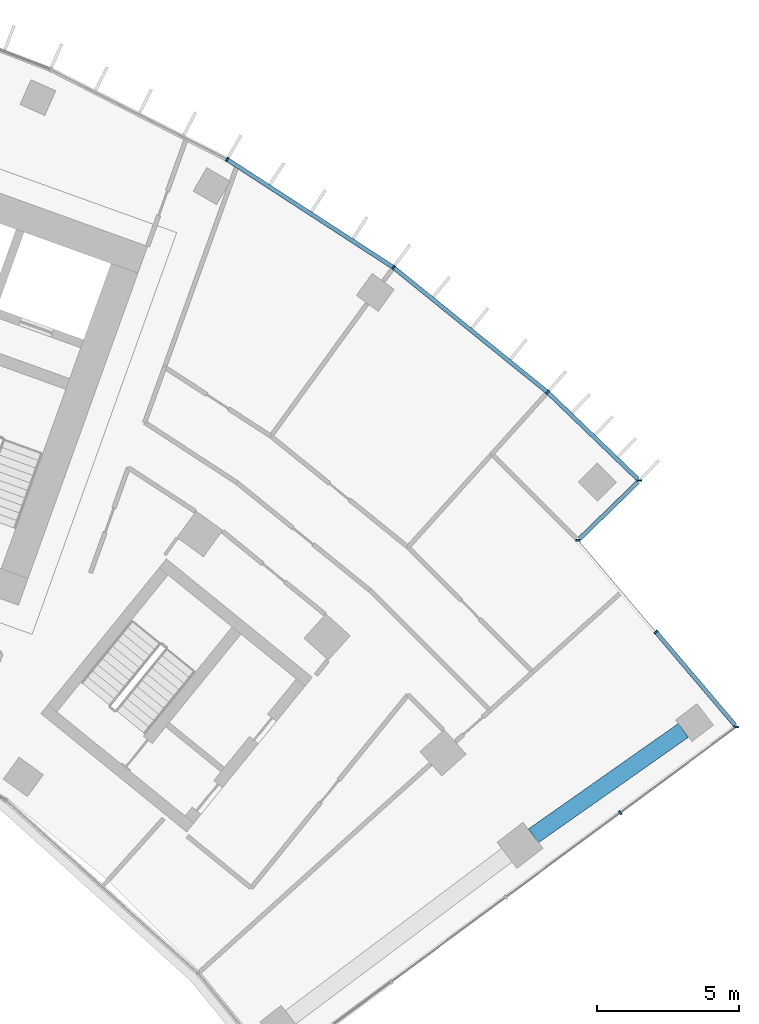
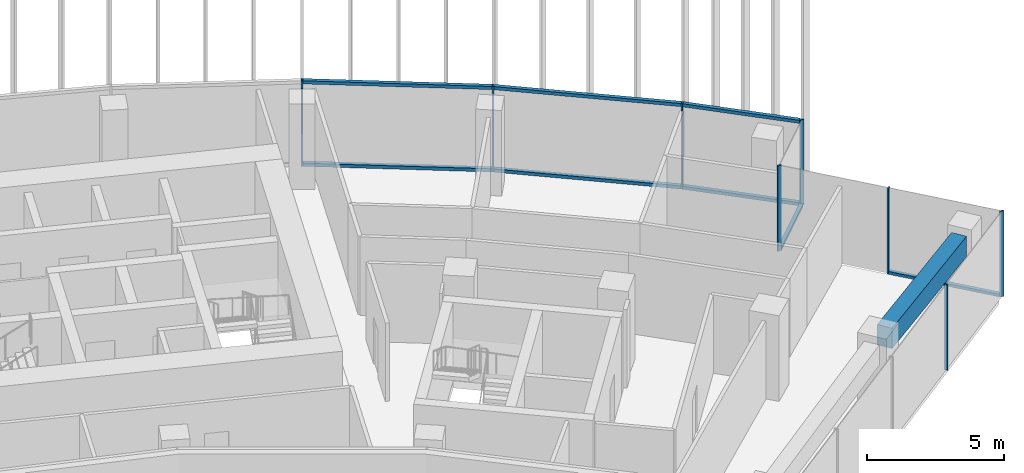
# One storey, part 9 of 19: 16 members, 1 beam, 4 elements without a shape of their own.
"""IFC4 building model written with IfcOpenShell, lengths in metres."""

import ifcopenshell
import ifcopenshell.guid

model = None  # the IFC model being written
_history = None  # IfcOwnerHistory: only IFC2X3 demands one
_inside = {}  # id of a spatial element -> (the spatial element, [elements in it])
_under = {}  # id of a project, library or spatial element -> (it, [spatial elements below it])
_declared = {}  # id of a project -> (the project, [libraries it declares])
_typed = {}  # id of a type object -> (the type object, [elements of that type])
_made_of = {}  # id of a material, layer set ... -> (it, [elements and type objects made of it])


def new_model(schema):
    """Start an empty IFC model of exactly this schema.

    Asked for "IFC4X3", IfcOpenShell would pick the latest addendum, in which some entities
    have other attributes; the version numbers below select the first issue.
    IFC2X3 requires an IfcOwnerHistory on every rooted entity: one is made here for all.
    """
    global model, _history
    if schema == "IFC4X3":
        model = ifcopenshell.file(schema_version=(4, 3, 0, 0))
    else:
        model = ifcopenshell.file(schema=schema)
    _inside.clear()
    _under.clear()
    _declared.clear()
    _typed.clear()
    _made_of.clear()
    _history = None
    if model.schema == "IFC2X3":
        org = make("IfcOrganization", Name="unknown")
        user = make(
            "IfcPersonAndOrganization",
            ThePerson=make("IfcPerson", FamilyName="unknown"),
            TheOrganization=org,
        )
        app = make(
            "IfcApplication",
            ApplicationDeveloper=org,
            Version="unknown",
            ApplicationFullName="unknown",
            ApplicationIdentifier="unknown",
        )
        _history = make(
            "IfcOwnerHistory",
            OwningUser=user,
            OwningApplication=app,
            ChangeAction="ADDED",
            CreationDate=0,
        )
    return model


def make(cls, **values):
    """One entity of the class cls with the attributes given. An attribute that is None is left unset."""
    return model.create_entity(
        cls, **{name: value for name, value in values.items() if value is not None}
    )


def rooted(cls, **values):
    """An entity with a GlobalId (a new one), such as an element, a storey or a relation."""
    return make(cls, GlobalId=ifcopenshell.guid.new(), OwnerHistory=_history, **values)


def si_unit(unit_type, name, prefix=None):
    """IfcSIUnit, for example si_unit("LENGTHUNIT", "METRE", prefix="MILLI")."""
    return make("IfcSIUnit", UnitType=unit_type, Prefix=prefix, Name=name)


def assignment(units):
    """IfcUnitAssignment: the units of a project."""
    return None if units is None else make("IfcUnitAssignment", Units=units)


def point(xyz):
    """IfcCartesianPoint."""
    return None if xyz is None else make("IfcCartesianPoint", Coordinates=xyz)


def direction(xyz):
    """IfcDirection."""
    return None if xyz is None else make("IfcDirection", DirectionRatios=xyz)


def frame(location, z_axis=None, x_axis=None):
    """IfcAxis2Placement3D, a coordinate frame: its origin and axes. An axis left out is left unset."""
    return make(
        "IfcAxis2Placement3D",
        Location=point(location),
        Axis=direction(z_axis),
        RefDirection=direction(x_axis),
    )


def frame_2d(location, x_axis=None):
    """IfcAxis2Placement2D, a coordinate frame in the plane: its origin and x axis."""
    return make(
        "IfcAxis2Placement2D", Location=point(location), RefDirection=direction(x_axis)
    )


def origin():
    """The frame at (0, 0, 0) with its axes left unset."""
    return frame((0.0, 0.0, 0.0))


def origin_2d():
    """The frame at (0, 0) in the plane with its x axis left unset."""
    return frame_2d((0.0, 0.0))


def place(relative_to, where):
    """IfcLocalPlacement: puts the frame where relative to a parent placement (None: the world)."""
    return make(
        "IfcLocalPlacement", PlacementRelTo=relative_to, RelativePlacement=where
    )


def context(
    kind, dimensions, precision=None, world=None, true_north=None, identifier=None
):
    """IfcGeometricRepresentationContext, for example the 3D "Model" context."""
    return make(
        "IfcGeometricRepresentationContext",
        ContextIdentifier=identifier,
        ContextType=kind,
        CoordinateSpaceDimension=dimensions,
        Precision=precision,
        WorldCoordinateSystem=world,
        TrueNorth=true_north,
    )


def subcontext(parent, identifier, kind, view, scale=None):
    """IfcGeometricRepresentationSubContext, for example "Body" below "Model"."""
    return make(
        "IfcGeometricRepresentationSubContext",
        ContextIdentifier=identifier,
        ContextType=kind,
        ParentContext=parent,
        TargetScale=scale,
        TargetView=view,
    )


def project(units=None, contexts=None):
    """IfcProject with its units and contexts."""
    return rooted(
        "IfcProject",
        Name="project",
        RepresentationContexts=contexts,
        UnitsInContext=assignment(units),
    )


def spatial(cls, under=None, at=None, **own):
    """A site, building, storey or space (cls), placed at a placement, below another one or the project."""
    s = rooted(cls, ObjectPlacement=at, **own)
    if under is not None:
        _under.setdefault(under.id(), (under, []))[1].append(s)
    return s


def profile(cls, at=None, kind="AREA", **sizes):
    """A parametric profile (cls). Its sizes go by their IFC names, for example OverallWidth=200.0."""
    return make(cls, ProfileType=kind, Position=at, **sizes)


def rectangle(**sizes):
    """IfcRectangleProfileDef."""
    return profile("IfcRectangleProfileDef", **sizes)


def extrude(swept, where, along, depth):
    """IfcExtrudedAreaSolid: the profile swept, set in the frame where, extruded along a direction by depth."""
    return make(
        "IfcExtrudedAreaSolid",
        SweptArea=swept,
        Position=where,
        ExtrudedDirection=direction(along),
        Depth=depth,
    )


def shape(context_of_items, identifier, shape_type, items):
    """IfcShapeRepresentation: the items that make up one representation, for example the "Body"."""
    return make(
        "IfcShapeRepresentation",
        ContextOfItems=context_of_items,
        RepresentationIdentifier=identifier,
        RepresentationType=shape_type,
        Items=items,
    )


def material(Name=None, Category=None):
    """IfcMaterial."""
    return make("IfcMaterial", Name=Name, Category=Category)


def layer(
    of_material, thickness, ventilated=None, Name=None, Category=None, Priority=None
):
    """IfcMaterialLayer: one layer of a wall or slab, of a material (None: an air gap)."""
    return make(
        "IfcMaterialLayer",
        Material=of_material,
        LayerThickness=thickness,
        IsVentilated=ventilated,
        Name=Name,
        Category=Category,
        Priority=Priority,
    )


def layer_set(layers, Name=None):
    """IfcMaterialLayerSet."""
    return make("IfcMaterialLayerSet", MaterialLayers=layers, LayerSetName=Name)


def material_profile(
    of_material, cross_section, Name=None, Category=None, Priority=None
):
    """IfcMaterialProfile: a cross section and its material."""
    return make(
        "IfcMaterialProfile",
        Name=Name,
        Material=of_material,
        Profile=cross_section,
        Priority=Priority,
        Category=Category,
    )


def profile_set(profiles, Name=None, composite=None):
    """IfcMaterialProfileSet."""
    return make(
        "IfcMaterialProfileSet",
        Name=Name,
        MaterialProfiles=profiles,
        CompositeProfile=composite,
    )


def made_of(thing, what):
    """Note that an element or type object is made of a material, layer set ...; save() writes the relation."""
    if what is not None:
        _made_of.setdefault(what.id(), (what, []))[1].append(thing)
    return thing


def type_object(cls, material=None, **own):
    """A type object (cls), such as IfcWallType, which elements share."""
    return made_of(rooted(cls, **own), material)


def element(
    cls,
    number,
    at=None,
    inside=None,
    cuts=None,
    type_object=None,
    material=None,
    context=None,
    identifier="Body",
    shape_type=None,
    held_by="IfcProductDefinitionShape",
    body=None,
    shapes=None,
    **own,
):
    """One element of the class cls, such as IfcWall. Its Tag is "e" and its number.

    at: its placement. inside: the storey or other place that contains it. cuts: it is an
    opening in that element (IfcRelVoidsElement). A single representation is given by context,
    identifier, shape_type and body (its items); several are given by shapes. held_by: the class
    of the entity that holds the representations. save() writes the other relations.
    """
    e = rooted(cls, Tag="e%d" % number, ObjectPlacement=at, **own)
    if body is not None:
        shapes = [shape(context, identifier, shape_type, body)]
    if shapes is not None:
        e.Representation = make(held_by, Representations=shapes)
    if inside is not None:
        _inside.setdefault(inside.id(), (inside, []))[1].append(e)
    if cuts is not None:
        rooted(
            "IfcRelVoidsElement", RelatingBuildingElement=cuts, RelatedOpeningElement=e
        )
    if type_object is not None:
        _typed.setdefault(type_object.id(), (type_object, []))[1].append(e)
    return made_of(e, material)


def aggregate(whole, parts):
    """IfcRelAggregates: a whole, such as a stair, and the parts it consists of."""
    return rooted("IfcRelAggregates", RelatingObject=whole, RelatedObjects=parts)


def save(model, path):
    """Write the relations noted so far, then the file.

    IfcRelAggregates (storeys below a building ...), IfcRelContainedInSpatialStructure (elements
    in a storey), IfcRelDefinesByType, IfcRelAssociatesMaterial and IfcRelDeclares: one each for
    every whole, place, type object, material and project.
    """
    for whole, parts in _under.values():
        aggregate(whole, parts)
    for where, things in _inside.values():
        rooted(
            "IfcRelContainedInSpatialStructure",
            RelatedElements=things,
            RelatingStructure=where,
        )
    for kind, things in _typed.values():
        rooted("IfcRelDefinesByType", RelatedObjects=things, RelatingType=kind)
    for what, things in _made_of.values():
        rooted("IfcRelAssociatesMaterial", RelatedObjects=things, RelatingMaterial=what)
    for by, libraries in _declared.values():
        rooted("IfcRelDeclares", RelatingContext=by, RelatedDefinitions=libraries)
    model.write(path)


model = new_model("IFC4")

# Units and contexts
model_context = context("Model", 3, precision=1e-05, world=origin(), true_north=direction((0.0, 1.0)))
body_context = subcontext(model_context, "Body", "Model", "MODEL_VIEW")
ifc_project = project(units=[si_unit("LENGTHUNIT", "METRE"), si_unit("AREAUNIT", "SQUARE_METRE"), si_unit("VOLUMEUNIT", "CUBIC_METRE"), si_unit("PLANEANGLEUNIT", "RADIAN"), si_unit("MASSUNIT", "GRAM", prefix="KILO")], contexts=[model_context])

# Site, building, storey
site_placement = place(None, origin())
site = spatial("IfcSite", under=ifc_project, at=site_placement, CompositionType="ELEMENT")
building_placement = place(site_placement, origin())
building = spatial("IfcBuilding", under=site, at=building_placement, Name="Stone Belt Terrace Tower", CompositionType="ELEMENT")
storey_placement = place(building_placement, frame((0.0, 0.0, 223.800048828125)))
storey = spatial("IfcBuildingStorey", under=building, at=storey_placement, Name="L54", CompositionType="ELEMENT", Elevation=223.800048828125)

# Curtain wall, members
ifc_material_1 = material(Name="Aluminium 6063-T6 anodised frame", Category="aluminium")
ifc_layer_1 = layer(ifc_material_1, 0.14990234375)
ifc_layer_set_1 = layer_set([ifc_layer_1], Name="CW-A unitised convex-face curtain wall")
curtain_wall_type_1 = type_object("IfcCurtainWallType", Name="CW-A unitised convex-face curtain wall", PredefinedType="NOTDEFINED", material=ifc_layer_set_1)
curtain_wall_1_placement = place(storey_placement, origin())
curtain_wall_1 = element("IfcCurtainWall", 1, at=curtain_wall_1_placement, inside=storey, type_object=curtain_wall_type_1, Name="CW-A convex face L54", PredefinedType="NOTDEFINED")
ifc_material_profile_1 = material_profile(ifc_material_1, rectangle(XDim=0.14990234375, YDim=0.06005859375, at=origin_2d()), Name="Aluminium 6063-T6 60x150")
ifc_profile_set_1 = profile_set([ifc_material_profile_1], Name="Aluminium 6063-T6 anodised frame")
member_type_1 = type_object("IfcMemberType", Name="CW-A mullion 60 x 150", PredefinedType="MULLION", material=ifc_profile_set_1)
member_1_placement = place(storey_placement, frame((47.775390625, 46.369140625, 0.0), z_axis=(0.0, 0.0, 1.0), x_axis=(-0.999996264646, -0.002733257028, 0.0)))
member_1 = element("IfcMember", 2, at=member_1_placement, type_object=member_type_1, Name="CW-A mullion 1", PredefinedType="MULLION", context=body_context, shape_type="SweptSolid", body=[
    extrude(rectangle(XDim=0.14990234375, YDim=0.06005859375, at=origin_2d()), origin(), (0.0, 0.0, 1.0), 3.800048828125),
])
member_2_placement = place(storey_placement, frame((44.546875, 49.475341796875, 0.0), z_axis=(0.0, 0.0, 1.0), x_axis=(-0.661937409618, -0.749559114245, 0.0)))
member_2 = element("IfcMember", 3, at=member_2_placement, type_object=member_type_1, Name="CW-A mullion 2", PredefinedType="MULLION", context=body_context, shape_type="SweptSolid", body=[
    extrude(rectangle(XDim=0.14990234375, YDim=0.06005859375, at=origin_2d()), origin(), (0.0, 0.0, 1.0), 3.800048828125),
])
member_3_placement = place(storey_placement, frame((39.1318359375, 53.8603515625, 0.0), z_axis=(0.0, 0.0, 1.0), x_axis=(-0.587785252292, -0.809016994375, 0.0)))
member_3 = element("IfcMember", 4, at=member_3_placement, type_object=member_type_1, Name="CW-A mullion 3", PredefinedType="MULLION", context=body_context, shape_type="SweptSolid", body=[
    extrude(rectangle(XDim=0.14990234375, YDim=0.06005859375, at=origin_2d()), origin(), (0.0, 0.0, 1.0), 3.800048828125),
])
member_4_placement = place(storey_placement, frame((33.28759765625, 57.65576171875, 0.0), z_axis=(0.0, 0.0, 1.0), x_axis=(-0.5, -0.866025403784, 0.0)))
member_4 = element("IfcMember", 5, at=member_4_placement, type_object=member_type_1, Name="CW-A mullion 4", PredefinedType="MULLION", context=body_context, shape_type="SweptSolid", body=[
    extrude(rectangle(XDim=0.14990234375, YDim=0.06005859375, at=origin_2d()), origin(), (0.0, 0.0, 1.0), 3.800048828125),
])
ifc_material_profile_2 = material_profile(ifc_material_1, rectangle(XDim=0.14990234375, YDim=0.139892578125, at=origin_2d()), Name="Aluminium 6063-T6 150x140")
ifc_profile_set_2 = profile_set([ifc_material_profile_2], Name="Aluminium 6063-T6 anodised frame")
member_type_2 = type_object("IfcMemberType", Name="CW-A transom 140 x 150", PredefinedType="USERDEFINED", material=ifc_profile_set_2)
member_5_placement = place(storey_placement, frame((47.721435546875, 46.4208984375, 0.070068359375), z_axis=(-0.720600183576, 0.693350831419, 0.0), x_axis=(-0.693350831419, -0.720600183576, 0.0)))
member_5 = element("IfcMember", 6, at=member_5_placement, type_object=member_type_2, Name="CW-A transom 1.1", ObjectType="TRANSOM", PredefinedType="USERDEFINED", context=body_context, shape_type="SweptSolid", body=[
    extrude(rectangle(XDim=0.14990234375, YDim=0.139892578125, at=origin_2d()), origin(), (0.0, 0.0, 1.0), 4.372314453125),
])
member_6_placement = place(storey_placement, frame((47.721435546875, 46.4208984375, 3.72998046875), z_axis=(-0.720600183576, 0.693350831419, 0.0), x_axis=(-0.693350831419, -0.720600183576, 0.0)))
member_6 = element("IfcMember", 7, at=member_6_placement, type_object=member_type_2, Name="CW-A transom 1.2", ObjectType="TRANSOM", PredefinedType="USERDEFINED", context=body_context, shape_type="SweptSolid", body=[
    extrude(rectangle(XDim=0.14990234375, YDim=0.139892578125, at=origin_2d()), origin(), (0.0, 0.0, 1.0), 4.372314453125),
])
member_7_placement = place(storey_placement, frame((44.52099609375, 49.496337890625, 0.070068359375), z_axis=(-0.777141048626, 0.629326457842, 0.0), x_axis=(-0.629326457842, -0.777141048626, 0.0)))
member_7 = element("IfcMember", 8, at=member_7_placement, type_object=member_type_2, Name="CW-A transom 2.1", ObjectType="TRANSOM", PredefinedType="USERDEFINED", context=body_context, shape_type="SweptSolid", body=[
    extrude(rectangle(XDim=0.14990234375, YDim=0.139892578125, at=origin_2d()), origin(), (0.0, 0.0, 1.0), 6.900634765625),
])
member_8_placement = place(storey_placement, frame((44.52099609375, 49.496337890625, 3.72998046875), z_axis=(-0.777141048626, 0.629326457842, 0.0), x_axis=(-0.629326457842, -0.777141048626, 0.0)))
member_8 = element("IfcMember", 9, at=member_8_placement, type_object=member_type_2, Name="CW-A transom 2.2", ObjectType="TRANSOM", PredefinedType="USERDEFINED", context=body_context, shape_type="SweptSolid", body=[
    extrude(rectangle(XDim=0.14990234375, YDim=0.139892578125, at=origin_2d()), origin(), (0.0, 0.0, 1.0), 6.900634765625),
])
member_9_placement = place(storey_placement, frame((39.103515625, 53.87890625, 0.070068359375), z_axis=(-0.83868440714, 0.544617723931, 0.0), x_axis=(-0.544617723931, -0.83868440714, 0.0)))
member_9 = element("IfcMember", 10, at=member_9_placement, type_object=member_type_2, Name="CW-A transom 3.1", ObjectType="TRANSOM", PredefinedType="USERDEFINED", context=body_context, shape_type="SweptSolid", body=[
    extrude(rectangle(XDim=0.14990234375, YDim=0.139892578125, at=origin_2d()), origin(), (0.0, 0.0, 1.0), 6.90087890625),
])
member_10_placement = place(storey_placement, frame((39.103515625, 53.87890625, 3.72998046875), z_axis=(-0.83868440714, 0.544617723931, 0.0), x_axis=(-0.544617723931, -0.83868440714, 0.0)))
member_10 = element("IfcMember", 11, at=member_10_placement, type_object=member_type_2, Name="CW-A transom 3.2", ObjectType="TRANSOM", PredefinedType="USERDEFINED", context=body_context, shape_type="SweptSolid", body=[
    extrude(rectangle(XDim=0.14990234375, YDim=0.139892578125, at=origin_2d()), origin(), (0.0, 0.0, 1.0), 6.90087890625),
])
aggregate(curtain_wall_1, [member_1, member_2, member_3, member_4, member_5, member_6, member_7, member_8, member_9, member_10])

# Curtain wall, member
ifc_layer_2 = layer(ifc_material_1, 0.14990234375)
ifc_layer_set_2 = layer_set([ifc_layer_2], Name="CW-C stick curtain wall, horn ends and notches")
curtain_wall_type_2 = type_object("IfcCurtainWallType", Name="CW-C stick curtain wall, horn ends and notches", PredefinedType="NOTDEFINED", material=ifc_layer_set_2)
curtain_wall_2_placement = place(storey_placement, origin())
curtain_wall_2 = element("IfcCurtainWall", 12, at=curtain_wall_2_placement, inside=storey, type_object=curtain_wall_type_2, Name="CW-C end face L54", PredefinedType="NOTDEFINED")
ifc_material_profile_3 = material_profile(ifc_material_1, rectangle(XDim=0.14990234375, YDim=0.06005859375, at=origin_2d()), Name="Aluminium 6063-T6 60x150")
ifc_profile_set_3 = profile_set([ifc_material_profile_3], Name="Aluminium 6063-T6 anodised frame")
member_type_3 = type_object("IfcMemberType", Name="CW-C mullion 60 x 150", PredefinedType="MULLION", material=ifc_profile_set_3)
member_11_placement = place(storey_placement, frame((47.097900390625, 34.699462890625, 0.0), z_axis=(0.0, 0.0, 1.0), x_axis=(-0.594184091865, 0.804329077539, 0.0)))
member_11 = element("IfcMember", 13, at=member_11_placement, type_object=member_type_3, Name="CW-C mullion 4", PredefinedType="MULLION", context=body_context, shape_type="SweptSolid", body=[
    extrude(rectangle(XDim=0.14990234375, YDim=0.06005859375, at=origin_2d()), origin(), (0.0, 0.0, 1.0), 3.800048828125),
])
aggregate(curtain_wall_2, [member_11])

# Curtain wall, members
curtain_wall_3_placement = place(storey_placement, origin())
curtain_wall_3 = element("IfcCurtainWall", 14, at=curtain_wall_3_placement, inside=storey, type_object=curtain_wall_type_2, Name="CW-C notch face L54", PredefinedType="NOTDEFINED")
member_12_placement = place(storey_placement, frame((51.18408203125, 37.718017578125, 0.0), z_axis=(0.0, 0.0, 1.0), x_axis=(-0.993358853918, 0.115057321987, 0.0)))
member_12 = element("IfcMember", 15, at=member_12_placement, type_object=member_type_3, Name="CW-C mullion 1", PredefinedType="MULLION", context=body_context, shape_type="SweptSolid", body=[
    extrude(rectangle(XDim=0.14990234375, YDim=0.06005859375, at=origin_2d()), origin(), (0.0, 0.0, 1.0), 3.800048828125),
])
member_13_placement = place(storey_placement, frame((48.35302734375, 41.052490234375, 0.0), z_axis=(0.0, 0.0, 1.0), x_axis=(-0.762310954743, -0.647210945735, 0.0)))
member_13 = element("IfcMember", 16, at=member_13_placement, type_object=member_type_3, Name="CW-C mullion 2", PredefinedType="MULLION", context=body_context, shape_type="SweptSolid", body=[
    extrude(rectangle(XDim=0.14990234375, YDim=0.06005859375, at=origin_2d()), origin(), (0.0, 0.0, 1.0), 3.800048828125),
])

# Curtain wall, member
curtain_wall_4_placement = place(storey_placement, origin())
curtain_wall_4 = element("IfcCurtainWall", 17, at=curtain_wall_4_placement, inside=storey, type_object=curtain_wall_type_2, Name="CW-C notch face L54", PredefinedType="NOTDEFINED")
member_14_placement = place(storey_placement, frame((45.61962890625, 44.27197265625, 0.0), z_axis=(0.0, 0.0, 1.0), x_axis=(-0.998865261612, 0.047625509398, 0.0)))
member_14 = element("IfcMember", 18, at=member_14_placement, type_object=member_type_3, Name="CW-C mullion 1", PredefinedType="MULLION", context=body_context, shape_type="SweptSolid", body=[
    extrude(rectangle(XDim=0.14990234375, YDim=0.06005859375, at=origin_2d()), origin(), (0.0, 0.0, 1.0), 3.800048828125),
])

# Member
ifc_material_profile_4 = material_profile(ifc_material_1, rectangle(XDim=0.14990234375, YDim=0.1201171875, at=origin_2d()), Name="Aluminium 6063-T6 150x120")
ifc_profile_set_4 = profile_set([ifc_material_profile_4], Name="Aluminium 6063-T6 anodised frame")
member_type_4 = type_object("IfcMemberType", Name="CW-C transom 120 x 150", PredefinedType="USERDEFINED", material=ifc_profile_set_4)
member_15_placement = place(storey_placement, frame((51.13525390625, 37.775390625, 0.06005859375), z_axis=(-0.647195078608, 0.762324425836, 0.0), x_axis=(-0.762324425836, -0.647195078608, 0.0)))
member_15 = element("IfcMember", 19, at=member_15_placement, type_object=member_type_4, Name="CW-C transom 1.1", ObjectType="TRANSOM", PredefinedType="USERDEFINED", context=body_context, shape_type="SweptSolid", body=[
    extrude(rectangle(XDim=0.14990234375, YDim=0.1201171875, at=origin_2d()), origin(), (0.0, 0.0, 1.0), 4.268798828125),
])

aggregate(curtain_wall_3, [member_12, member_13, member_15])

member_16_placement = place(storey_placement, frame((45.671875, 44.322998046875, 0.06005859375), z_axis=(0.716814728684, 0.697263683797, 0.0), x_axis=(-0.697263683797, 0.716814728684, 0.0)))
member_16 = element("IfcMember", 20, at=member_16_placement, type_object=member_type_4, Name="CW-C transom 1.1", ObjectType="TRANSOM", PredefinedType="USERDEFINED", context=body_context, shape_type="SweptSolid", body=[
    extrude(rectangle(XDim=0.14990234375, YDim=0.1201171875, at=origin_2d()), origin(), (0.0, 0.0, 1.0), 2.859619140625),
])

aggregate(curtain_wall_4, [member_14, member_16])

# Beam
ifc_material_2 = material(Name="Concrete B60", Category="concrete")
ifc_material_profile_5 = material_profile(ifc_material_2, rectangle(XDim=0.60009765625, YDim=0.89990234375, at=origin_2d()), Name="RC 600x900")
ifc_profile_set_5 = profile_set([ifc_material_profile_5], Name="Concrete B60")
beam_type = type_object("IfcBeamType", Name="Edge beam RC 600x900 B60", PredefinedType="SPANDREL", material=ifc_profile_set_5)
beam_placement = place(storey_placement, frame((44.049560546875, 33.885498046875, 3.030029296875), z_axis=(0.817996569297, 0.575223098126, 0.0), x_axis=(-0.575223098126, 0.817996569297, 0.0)))
element("IfcBeam", 21, at=beam_placement, inside=storey, type_object=beam_type, Name="Edge beam L54 B Q to R", PredefinedType="SPANDREL", context=body_context, shape_type="SweptSolid", body=[
    extrude(rectangle(XDim=0.60009765625, YDim=0.89990234375, at=origin_2d()), origin(), (0.0, 0.0, 1.0), 6.444091796875),
])

save(model, "model.ifc")
